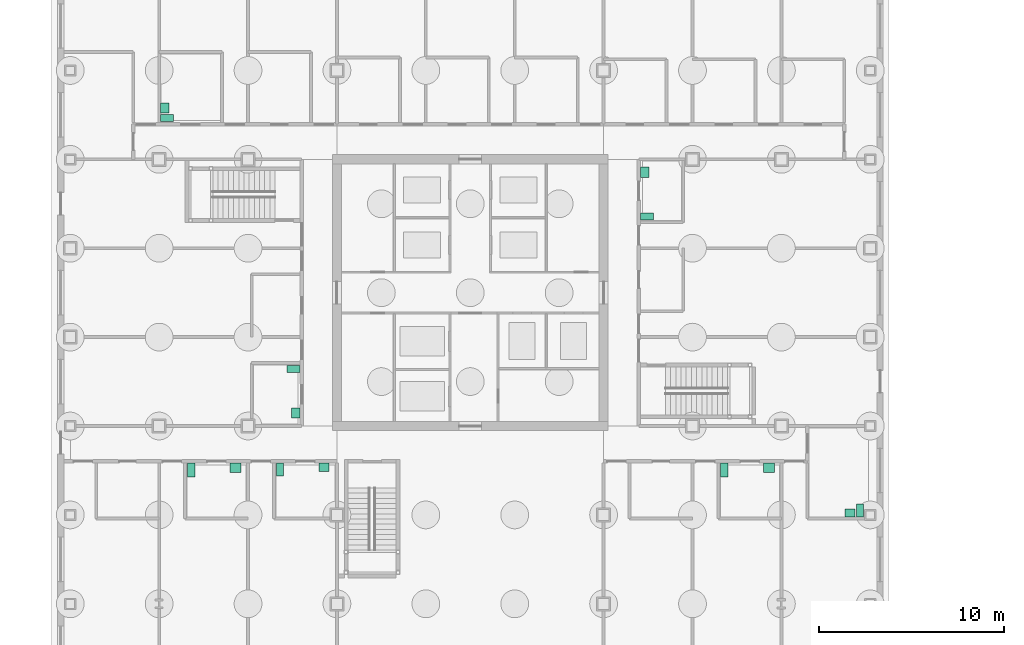
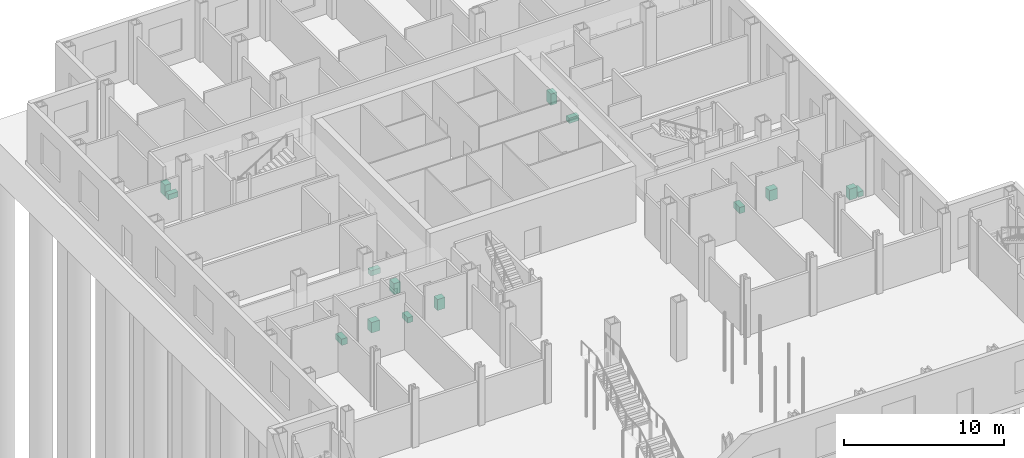
# One storey, part 21 of 22: 14 sanitary terminals.
"""IFC4 building model written with IfcOpenShell, lengths in metres."""

from ifc_helpers import new_model, si_unit, direction, frame, origin, origin_2d, place, context, subcontext, project, spatial, rectangle, extrude, material, type_object, element, save


model = new_model("IFC4")

# Units and contexts
model_context = context("Model", 3, precision=1e-05, world=origin(), true_north=direction((0.0, 1.0)))
body_context = subcontext(model_context, "Body", "Model", "MODEL_VIEW")
ifc_project = project(units=[si_unit("LENGTHUNIT", "METRE"), si_unit("AREAUNIT", "SQUARE_METRE"), si_unit("VOLUMEUNIT", "CUBIC_METRE"), si_unit("PLANEANGLEUNIT", "RADIAN"), si_unit("MASSUNIT", "GRAM", prefix="KILO")], contexts=[model_context])

# Site, building, storey
site_placement = place(None, origin())
site = spatial("IfcSite", under=ifc_project, at=site_placement, CompositionType="ELEMENT")
building_placement = place(site_placement, origin())
building = spatial("IfcBuilding", under=site, at=building_placement, Name="Kvirike Care Tower", CompositionType="ELEMENT")
storey_placement = place(building_placement, origin())
storey = spatial("IfcBuildingStorey", under=building, at=storey_placement, Name="L00", CompositionType="ELEMENT", Elevation=0.0)

# Sanitary terminals
ifc_material_1 = material(Name="Vitreous china", Category="ceramic")
sanitary_terminal_type_1 = type_object("IfcSanitaryTerminalType", Name="ACCESSIBLE WASH BASIN 600 x 500", PredefinedType="WASHHANDBASIN", material=ifc_material_1)
for number, where, z_axis, x_axis, name in (
    (1, (8.925048828125, 26.548095703125, 0.02001953125), (0.0, 0.0, 1.0), (1.0, 0.0, 0.0), "Accessible wash basin L00-006"),
    (2, (37.72509765625, 26.548095703125, 0.02001953125), (0.0, 0.0, 1.0), (1.0, 0.0, 0.0), "Accessible wash basin L00-036"),
):
    element("IfcSanitaryTerminal", number, at=place(storey_placement, frame(where, z_axis=z_axis, x_axis=x_axis)), inside=storey, type_object=sanitary_terminal_type_1, Name=name, PredefinedType="WASHHANDBASIN", context=body_context, shape_type="SweptSolid", body=[
        extrude(rectangle(XDim=0.60009765625, YDim=0.5, at=origin_2d()), origin(), (0.0, 0.0, 1.0), 0.800048828125),
    ])
ifc_material_2 = material(Name="Vitreous china", Category="ceramic")
sanitary_terminal_type_2 = type_object("IfcSanitaryTerminalType", Name="ACCESSIBLE WC PAN 400 x 750", PredefinedType="TOILETPAN", material=ifc_material_2)
for number, where, z_axis, x_axis, name in (
    (3, (6.52490234375, 26.423095703125, 0.02001953125), (0.0, 0.0, 1.0), (1.0, 0.0, 0.0), "Accessible WC pan L00-006"),
    (4, (35.324951171875, 26.423095703125, 0.02001953125), (0.0, 0.0, 1.0), (1.0, 0.0, 0.0), "Accessible WC pan L00-036"),
):
    element("IfcSanitaryTerminal", number, at=place(storey_placement, frame(where, z_axis=z_axis, x_axis=x_axis)), inside=storey, type_object=sanitary_terminal_type_2, Name=name, PredefinedType="TOILETPAN", context=body_context, shape_type="SweptSolid", body=[
        extrude(rectangle(XDim=0.39990234375, YDim=0.75, at=origin_2d()), origin(), (0.0, 0.0, 1.0), 0.47998046875),
    ])
ifc_material_3 = material(Name="Vitreous china", Category="ceramic")
sanitary_terminal_type_3 = type_object("IfcSanitaryTerminalType", Name="WASH BASIN 550 x 450", PredefinedType="WASHHANDBASIN", material=ifc_material_3)
for number, where, z_axis, x_axis, name in (
    (5, (13.699951171875, 26.572998046875, 0.02001953125), (0.0, 0.0, 1.0), (1.0, 0.0, 0.0), "Wash basin L00-007"),
    (6, (12.173095703125, 29.5, 0.02001953125), (0.0, 0.0, 1.0), (0.0, -1.0, 0.0), "Wash basin L00-014"),
    (7, (5.10205078125, 45.97509765625, 0.02001953125), (0.0, 0.0, 1.0), (0.0, 1.0, 0.0), "Wash basin L00-020"),
    (8, (42.10498046875, 24.10205078125, 0.02001953125), (0.0, 0.0, 1.0), (-1.0, 0.0, 0.0), "Wash basin L00-037"),
    (9, (31.027099609375, 42.5, 0.02001953125), (0.0, 0.0, 1.0), (0.0, 1.0, 0.0), "Wash basin L00-044"),
):
    element("IfcSanitaryTerminal", number, at=place(storey_placement, frame(where, z_axis=z_axis, x_axis=x_axis)), inside=storey, type_object=sanitary_terminal_type_3, Name=name, PredefinedType="WASHHANDBASIN", context=body_context, shape_type="SweptSolid", body=[
        extrude(rectangle(XDim=0.550048828125, YDim=0.449951171875, at=origin_2d()), origin(), (0.0, 0.0, 1.0), 0.85009765625),
    ])
ifc_material_4 = material(Name="Vitreous china", Category="ceramic")
sanitary_terminal_type_4 = type_object("IfcSanitaryTerminalType", Name="WC PAN 380 x 700", PredefinedType="TOILETPAN", material=ifc_material_4)
for number, where, z_axis, x_axis, name in (
    (10, (11.31494140625, 26.447998046875, 0.02001953125), (0.0, 0.0, 1.0), (1.0, 0.0, 0.0), "WC pan L00-007"),
    (11, (12.048095703125, 31.885009765625, 0.02001953125), (0.0, 0.0, 1.0), (0.0, -1.0, 0.0), "WC pan L00-014"),
    (12, (5.22705078125, 45.43994140625, 0.02001953125), (0.0, 0.0, 1.0), (0.0, 1.0, 0.0), "WC pan L00-020"),
    (13, (42.639892578125, 24.22705078125, 0.02001953125), (0.0, 0.0, 1.0), (-1.0, 0.0, 0.0), "WC pan L00-037"),
    (14, (31.152099609375, 40.114990234375, 0.02001953125), (0.0, 0.0, 1.0), (0.0, 1.0, 0.0), "WC pan L00-044"),
):
    element("IfcSanitaryTerminal", number, at=place(storey_placement, frame(where, z_axis=z_axis, x_axis=x_axis)), inside=storey, type_object=sanitary_terminal_type_4, Name=name, PredefinedType="TOILETPAN", context=body_context, shape_type="SweptSolid", body=[
        extrude(rectangle(XDim=0.3798828125, YDim=0.699951171875, at=origin_2d()), origin(), (0.0, 0.0, 1.0), 0.39990234375),
    ])

save(model, "model.ifc")
